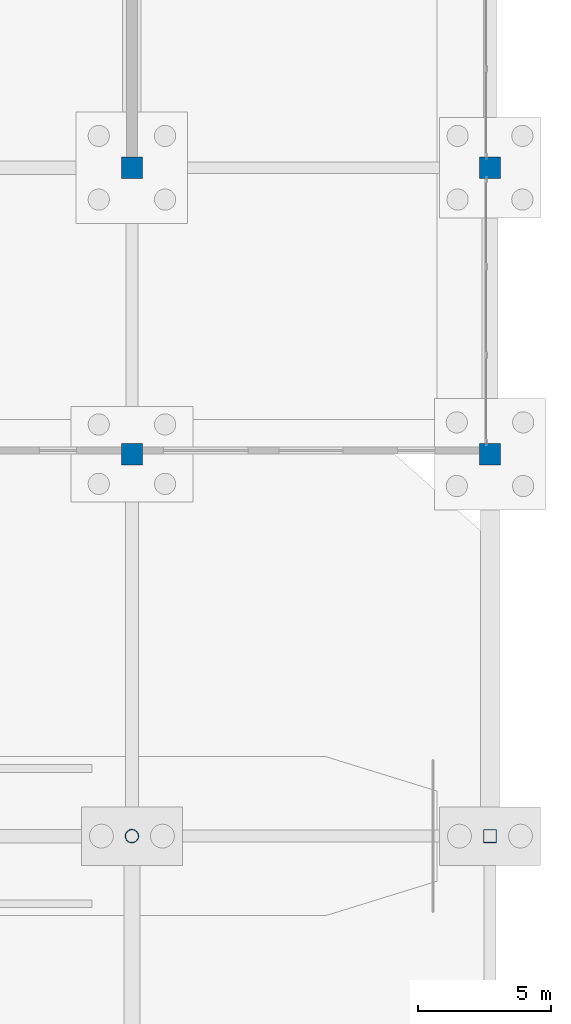
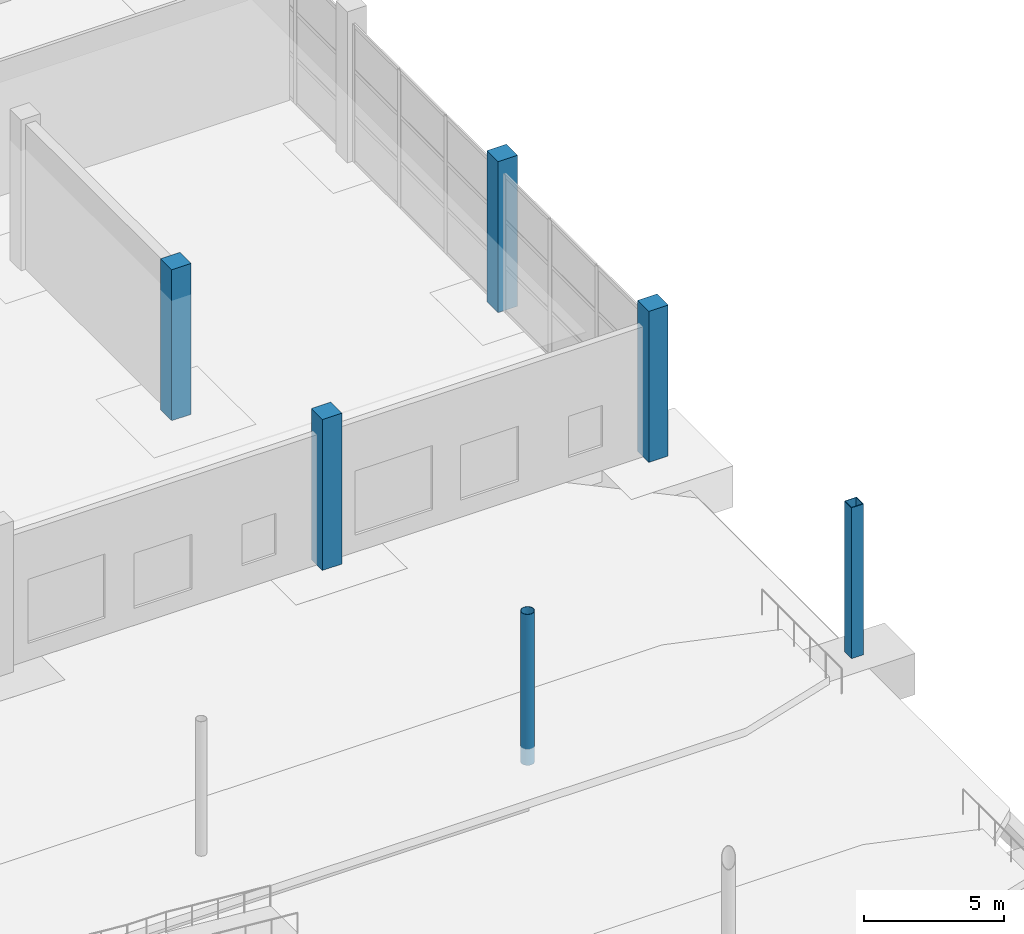
# One storey, part 30 of 115: 6 columns.
"""IFC4 building model written with IfcOpenShell, lengths in metres."""

from ifc_helpers import new_model, si_unit, direction, frame, origin, origin_2d, place, context, subcontext, project, spatial, rectangle, hollow_rectangle, hollow_circle, extrude, material, material_profile, profile_set, type_object, element, save


model = new_model("IFC4")

# Units and contexts
model_context = context("Model", 3, precision=1e-05, world=origin(), true_north=direction((0.0, 1.0)))
body_context = subcontext(model_context, "Body", "Model", "MODEL_VIEW")
ifc_project = project(units=[si_unit("LENGTHUNIT", "METRE"), si_unit("AREAUNIT", "SQUARE_METRE"), si_unit("VOLUMEUNIT", "CUBIC_METRE"), si_unit("PLANEANGLEUNIT", "RADIAN"), si_unit("MASSUNIT", "GRAM", prefix="KILO")], contexts=[model_context])

# Site, building, storey
site_placement = place(None, origin())
site = spatial("IfcSite", under=ifc_project, at=site_placement, CompositionType="ELEMENT")
building_placement = place(site_placement, origin())
building = spatial("IfcBuilding", under=site, at=building_placement, Name="Tamarisk Ironworks Central Station", CompositionType="ELEMENT")
storey_placement = place(building_placement, origin())
storey = spatial("IfcBuildingStorey", under=building, at=storey_placement, Name="L00", CompositionType="ELEMENT", Elevation=0.0)

# Columns
ifc_material_1 = material(Name="Concrete C50/60", Category="concrete")
ifc_material_profile_1 = material_profile(ifc_material_1, rectangle(XDim=0.800048828125, YDim=0.800048828125, at=origin_2d()), Name="RC 800x800")
ifc_profile_set_1 = profile_set([ifc_material_profile_1], Name="Concrete C50/60")
column_type_1 = type_object("IfcColumnType", Name="COL-RC01", PredefinedType="COLUMN", material=ifc_profile_set_1)
for number, where, z_axis, x_axis, name in (
    (1, (166.5, 79.199951171875, 0.0), (0.0, 0.0, 1.0), (1.0, 0.0, 0.0), "L00 column V5-19G"),
    (2, (166.5, 90.0, 0.0), (0.0, 0.0, 1.0), (1.0, 0.0, 0.0), "L00 column V5-19H"),
    (3, (180.0, 79.199951171875, 0.0), (0.0, 0.0, 1.0), (1.0, 0.0, 0.0), "L00 column V5-20G"),
    (4, (180.0, 90.0, 0.0), (0.0, 0.0, 1.0), (1.0, 0.0, 0.0), "L00 column V5-20H"),
):
    element("IfcColumn", number, at=place(storey_placement, frame(where, z_axis=z_axis, x_axis=x_axis)), inside=storey, type_object=column_type_1, Name=name, PredefinedType="COLUMN", context=body_context, shape_type="SweptSolid", body=[
        extrude(rectangle(XDim=0.800048828125, YDim=0.800048828125, at=origin_2d()), origin(), (0.0, 0.0, 1.0), 6.60009765625),
    ])
ifc_material_2 = material(Name="Structural steel S355J2H", Category="steel")
ifc_material_profile_2 = material_profile(ifc_material_2, hollow_rectangle(XDim=0.5, YDim=0.5, WallThickness=0.02001953125, at=origin_2d()), Name="SHS 500x500x20")
ifc_profile_set_2 = profile_set([ifc_material_profile_2], Name="Structural steel S355J2H")
column_type_2 = type_object("IfcColumnType", Name="COL-S13", PredefinedType="COLUMN", material=ifc_profile_set_2)
column_1_placement = place(storey_placement, frame((180.0, 64.800048828125, 0.0), z_axis=(0.0, 0.0, 1.0), x_axis=(1.0, 0.0, 0.0)))
element("IfcColumn", 5, at=column_1_placement, inside=storey, type_object=column_type_2, Name="L00 column V1-20F", PredefinedType="COLUMN", context=body_context, shape_type="SweptSolid", body=[
    extrude(hollow_rectangle(XDim=0.5, YDim=0.5, WallThickness=0.02001953125, at=origin_2d()), origin(), (0.0, 0.0, 1.0), 6.60009765625),
])
ifc_material_profile_3 = material_profile(ifc_material_2, hollow_circle(Radius=0.25390625, WallThickness=0.01611328125, at=origin_2d()), Name="CHS 508x16")
ifc_profile_set_3 = profile_set([ifc_material_profile_3], Name="Structural steel S355J2H")
column_type_3 = type_object("IfcColumnType", Name="COL-S16", PredefinedType="COLUMN", material=ifc_profile_set_3)
column_2_placement = place(storey_placement, frame((166.5, 64.800048828125, 0.0), z_axis=(0.0, 0.0, 1.0), x_axis=(1.0, 0.0, 0.0)))
element("IfcColumn", 6, at=column_2_placement, inside=storey, type_object=column_type_3, Name="L00 column V1-19F", PredefinedType="COLUMN", context=body_context, shape_type="SweptSolid", body=[
    extrude(hollow_circle(Radius=0.25390625, WallThickness=0.01611328125, at=origin_2d()), origin(), (0.0, 0.0, 1.0), 6.60009765625),
])

save(model, "model.ifc")
